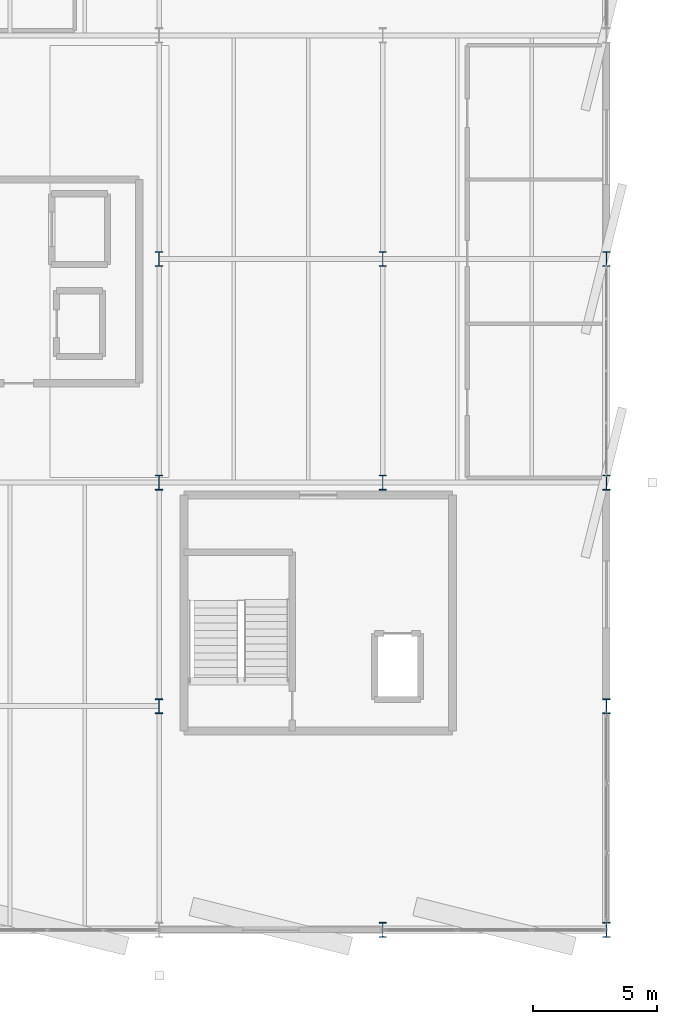
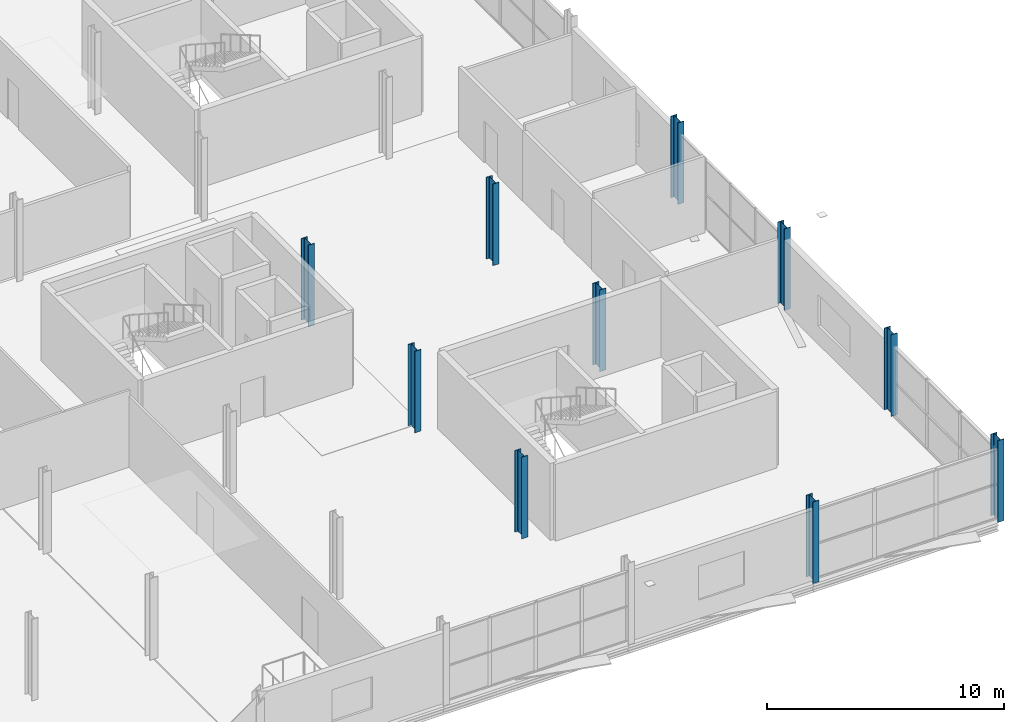
# One storey, part 9 of 88: 10 columns.
"""IFC4 building model written with IfcOpenShell, lengths in metres."""

import ifcopenshell
import ifcopenshell.guid

model = None  # the IFC model being written
_history = None  # IfcOwnerHistory: only IFC2X3 demands one
_inside = {}  # id of a spatial element -> (the spatial element, [elements in it])
_under = {}  # id of a project, library or spatial element -> (it, [spatial elements below it])
_declared = {}  # id of a project -> (the project, [libraries it declares])
_typed = {}  # id of a type object -> (the type object, [elements of that type])
_made_of = {}  # id of a material, layer set ... -> (it, [elements and type objects made of it])


def new_model(schema):
    """Start an empty IFC model of exactly this schema.

    Asked for "IFC4X3", IfcOpenShell would pick the latest addendum, in which some entities
    have other attributes; the version numbers below select the first issue.
    IFC2X3 requires an IfcOwnerHistory on every rooted entity: one is made here for all.
    """
    global model, _history
    if schema == "IFC4X3":
        model = ifcopenshell.file(schema_version=(4, 3, 0, 0))
    else:
        model = ifcopenshell.file(schema=schema)
    _inside.clear()
    _under.clear()
    _declared.clear()
    _typed.clear()
    _made_of.clear()
    _history = None
    if model.schema == "IFC2X3":
        org = make("IfcOrganization", Name="unknown")
        user = make(
            "IfcPersonAndOrganization",
            ThePerson=make("IfcPerson", FamilyName="unknown"),
            TheOrganization=org,
        )
        app = make(
            "IfcApplication",
            ApplicationDeveloper=org,
            Version="unknown",
            ApplicationFullName="unknown",
            ApplicationIdentifier="unknown",
        )
        _history = make(
            "IfcOwnerHistory",
            OwningUser=user,
            OwningApplication=app,
            ChangeAction="ADDED",
            CreationDate=0,
        )
    return model


def make(cls, **values):
    """One entity of the class cls with the attributes given. An attribute that is None is left unset."""
    return model.create_entity(
        cls, **{name: value for name, value in values.items() if value is not None}
    )


def rooted(cls, **values):
    """An entity with a GlobalId (a new one), such as an element, a storey or a relation."""
    return make(cls, GlobalId=ifcopenshell.guid.new(), OwnerHistory=_history, **values)


def si_unit(unit_type, name, prefix=None):
    """IfcSIUnit, for example si_unit("LENGTHUNIT", "METRE", prefix="MILLI")."""
    return make("IfcSIUnit", UnitType=unit_type, Prefix=prefix, Name=name)


def assignment(units):
    """IfcUnitAssignment: the units of a project."""
    return None if units is None else make("IfcUnitAssignment", Units=units)


def point(xyz):
    """IfcCartesianPoint."""
    return None if xyz is None else make("IfcCartesianPoint", Coordinates=xyz)


def direction(xyz):
    """IfcDirection."""
    return None if xyz is None else make("IfcDirection", DirectionRatios=xyz)


def frame(location, z_axis=None, x_axis=None):
    """IfcAxis2Placement3D, a coordinate frame: its origin and axes. An axis left out is left unset."""
    return make(
        "IfcAxis2Placement3D",
        Location=point(location),
        Axis=direction(z_axis),
        RefDirection=direction(x_axis),
    )


def frame_2d(location, x_axis=None):
    """IfcAxis2Placement2D, a coordinate frame in the plane: its origin and x axis."""
    return make(
        "IfcAxis2Placement2D", Location=point(location), RefDirection=direction(x_axis)
    )


def origin():
    """The frame at (0, 0, 0) with its axes left unset."""
    return frame((0.0, 0.0, 0.0))


def origin_2d():
    """The frame at (0, 0) in the plane with its x axis left unset."""
    return frame_2d((0.0, 0.0))


def place(relative_to, where):
    """IfcLocalPlacement: puts the frame where relative to a parent placement (None: the world)."""
    return make(
        "IfcLocalPlacement", PlacementRelTo=relative_to, RelativePlacement=where
    )


def context(
    kind, dimensions, precision=None, world=None, true_north=None, identifier=None
):
    """IfcGeometricRepresentationContext, for example the 3D "Model" context."""
    return make(
        "IfcGeometricRepresentationContext",
        ContextIdentifier=identifier,
        ContextType=kind,
        CoordinateSpaceDimension=dimensions,
        Precision=precision,
        WorldCoordinateSystem=world,
        TrueNorth=true_north,
    )


def subcontext(parent, identifier, kind, view, scale=None):
    """IfcGeometricRepresentationSubContext, for example "Body" below "Model"."""
    return make(
        "IfcGeometricRepresentationSubContext",
        ContextIdentifier=identifier,
        ContextType=kind,
        ParentContext=parent,
        TargetScale=scale,
        TargetView=view,
    )


def project(units=None, contexts=None):
    """IfcProject with its units and contexts."""
    return rooted(
        "IfcProject",
        Name="project",
        RepresentationContexts=contexts,
        UnitsInContext=assignment(units),
    )


def spatial(cls, under=None, at=None, **own):
    """A site, building, storey or space (cls), placed at a placement, below another one or the project."""
    s = rooted(cls, ObjectPlacement=at, **own)
    if under is not None:
        _under.setdefault(under.id(), (under, []))[1].append(s)
    return s


def profile(cls, at=None, kind="AREA", **sizes):
    """A parametric profile (cls). Its sizes go by their IFC names, for example OverallWidth=200.0."""
    return make(cls, ProfileType=kind, Position=at, **sizes)


def i_section(**sizes):
    """IfcIShapeProfileDef."""
    return profile("IfcIShapeProfileDef", **sizes)


def extrude(swept, where, along, depth):
    """IfcExtrudedAreaSolid: the profile swept, set in the frame where, extruded along a direction by depth."""
    return make(
        "IfcExtrudedAreaSolid",
        SweptArea=swept,
        Position=where,
        ExtrudedDirection=direction(along),
        Depth=depth,
    )


def shape(context_of_items, identifier, shape_type, items):
    """IfcShapeRepresentation: the items that make up one representation, for example the "Body"."""
    return make(
        "IfcShapeRepresentation",
        ContextOfItems=context_of_items,
        RepresentationIdentifier=identifier,
        RepresentationType=shape_type,
        Items=items,
    )


def material(Name=None, Category=None):
    """IfcMaterial."""
    return make("IfcMaterial", Name=Name, Category=Category)


def material_profile(
    of_material, cross_section, Name=None, Category=None, Priority=None
):
    """IfcMaterialProfile: a cross section and its material."""
    return make(
        "IfcMaterialProfile",
        Name=Name,
        Material=of_material,
        Profile=cross_section,
        Priority=Priority,
        Category=Category,
    )


def profile_set(profiles, Name=None, composite=None):
    """IfcMaterialProfileSet."""
    return make(
        "IfcMaterialProfileSet",
        Name=Name,
        MaterialProfiles=profiles,
        CompositeProfile=composite,
    )


def made_of(thing, what):
    """Note that an element or type object is made of a material, layer set ...; save() writes the relation."""
    if what is not None:
        _made_of.setdefault(what.id(), (what, []))[1].append(thing)
    return thing


def type_object(cls, material=None, **own):
    """A type object (cls), such as IfcWallType, which elements share."""
    return made_of(rooted(cls, **own), material)


def element(
    cls,
    number,
    at=None,
    inside=None,
    cuts=None,
    type_object=None,
    material=None,
    context=None,
    identifier="Body",
    shape_type=None,
    held_by="IfcProductDefinitionShape",
    body=None,
    shapes=None,
    **own,
):
    """One element of the class cls, such as IfcWall. Its Tag is "e" and its number.

    at: its placement. inside: the storey or other place that contains it. cuts: it is an
    opening in that element (IfcRelVoidsElement). A single representation is given by context,
    identifier, shape_type and body (its items); several are given by shapes. held_by: the class
    of the entity that holds the representations. save() writes the other relations.
    """
    e = rooted(cls, Tag="e%d" % number, ObjectPlacement=at, **own)
    if body is not None:
        shapes = [shape(context, identifier, shape_type, body)]
    if shapes is not None:
        e.Representation = make(held_by, Representations=shapes)
    if inside is not None:
        _inside.setdefault(inside.id(), (inside, []))[1].append(e)
    if cuts is not None:
        rooted(
            "IfcRelVoidsElement", RelatingBuildingElement=cuts, RelatedOpeningElement=e
        )
    if type_object is not None:
        _typed.setdefault(type_object.id(), (type_object, []))[1].append(e)
    return made_of(e, material)


def aggregate(whole, parts):
    """IfcRelAggregates: a whole, such as a stair, and the parts it consists of."""
    return rooted("IfcRelAggregates", RelatingObject=whole, RelatedObjects=parts)


def save(model, path):
    """Write the relations noted so far, then the file.

    IfcRelAggregates (storeys below a building ...), IfcRelContainedInSpatialStructure (elements
    in a storey), IfcRelDefinesByType, IfcRelAssociatesMaterial and IfcRelDeclares: one each for
    every whole, place, type object, material and project.
    """
    for whole, parts in _under.values():
        aggregate(whole, parts)
    for where, things in _inside.values():
        rooted(
            "IfcRelContainedInSpatialStructure",
            RelatedElements=things,
            RelatingStructure=where,
        )
    for kind, things in _typed.values():
        rooted("IfcRelDefinesByType", RelatedObjects=things, RelatingType=kind)
    for what, things in _made_of.values():
        rooted("IfcRelAssociatesMaterial", RelatedObjects=things, RelatingMaterial=what)
    for by, libraries in _declared.values():
        rooted("IfcRelDeclares", RelatingContext=by, RelatedDefinitions=libraries)
    model.write(path)


model = new_model("IFC4")

# Units and contexts
model_context = context("Model", 3, precision=1e-05, world=origin(), true_north=direction((0.0, 1.0)))
body_context = subcontext(model_context, "Body", "Model", "MODEL_VIEW")
ifc_project = project(units=[si_unit("LENGTHUNIT", "METRE"), si_unit("AREAUNIT", "SQUARE_METRE"), si_unit("VOLUMEUNIT", "CUBIC_METRE"), si_unit("PLANEANGLEUNIT", "RADIAN"), si_unit("MASSUNIT", "GRAM", prefix="KILO")], contexts=[model_context])

# Site, building, storey
site_placement = place(None, origin())
site = spatial("IfcSite", under=ifc_project, at=site_placement, CompositionType="ELEMENT")
building_placement = place(site_placement, origin())
building = spatial("IfcBuilding", under=site, at=building_placement, Name="Deido Ridge Mobility Hub", CompositionType="ELEMENT")
storey_placement = place(building_placement, frame((0.0, 0.0, 16.800048828125)))
storey = spatial("IfcBuildingStorey", under=building, at=storey_placement, Name="L04", CompositionType="ELEMENT", Elevation=16.800048828125)

# Columns
ifc_material = material(Name="Steel S355J2 EN 10025-2", Category="steel")
ifc_material_profile = material_profile(ifc_material, i_section(OverallWidth=0.300048828125, OverallDepth=0.60009765625, WebThickness=0.015380859375, FlangeThickness=0.030029296875, FilletRadius=0.027099609375, at=origin_2d()), Name="HEB 600")
ifc_profile_set = profile_set([ifc_material_profile], Name="Steel S355J2 EN 10025-2")
column_type = type_object("IfcColumnType", Name="COL-HEB600", PredefinedType="COLUMN", material=ifc_profile_set)
for number, where, z_axis, x_axis, name in (
    (1, (171.0, 0.0, 0.0), (0.0, 0.0, 1.0), (1.0, 0.0, 0.0), "Structural column C4"),
    (2, (180.0, 0.0, 0.0), (0.0, 0.0, 1.0), (1.0, 0.0, 0.0), "Structural column C4"),
    (3, (162.0, 9.0, 0.0), (0.0, 0.0, 1.0), (1.0, 0.0, 0.0), "Structural column C4"),
    (4, (180.0, 9.0, 0.0), (0.0, 0.0, 1.0), (1.0, 0.0, 0.0), "Structural column C4"),
    (5, (162.0, 18.0, 0.0), (0.0, 0.0, 1.0), (1.0, 0.0, 0.0), "Structural column C4"),
    (6, (171.0, 18.0, 0.0), (0.0, 0.0, 1.0), (1.0, 0.0, 0.0), "Structural column C4"),
    (7, (180.0, 18.0, 0.0), (0.0, 0.0, 1.0), (1.0, 0.0, 0.0), "Structural column C4"),
    (8, (162.0, 27.0, 0.0), (0.0, 0.0, 1.0), (1.0, 0.0, 0.0), "Structural column C4"),
    (9, (171.0, 27.0, 0.0), (0.0, 0.0, 1.0), (1.0, 0.0, 0.0), "Structural column C4"),
    (10, (180.0, 27.0, 0.0), (0.0, 0.0, 1.0), (1.0, 0.0, 0.0), "Structural column C4"),
):
    element("IfcColumn", number, at=place(storey_placement, frame(where, z_axis=z_axis, x_axis=x_axis)), inside=storey, type_object=column_type, Name=name, PredefinedType="COLUMN", context=body_context, shape_type="SweptSolid", body=[
        extrude(i_section(OverallWidth=0.300048828125, OverallDepth=0.60009765625, WebThickness=0.015380859375, FlangeThickness=0.030029296875, FilletRadius=0.027099609375, at=origin_2d()), origin(), (0.0, 0.0, 1.0), 4.199951171875),
    ])

save(model, "model.ifc")
